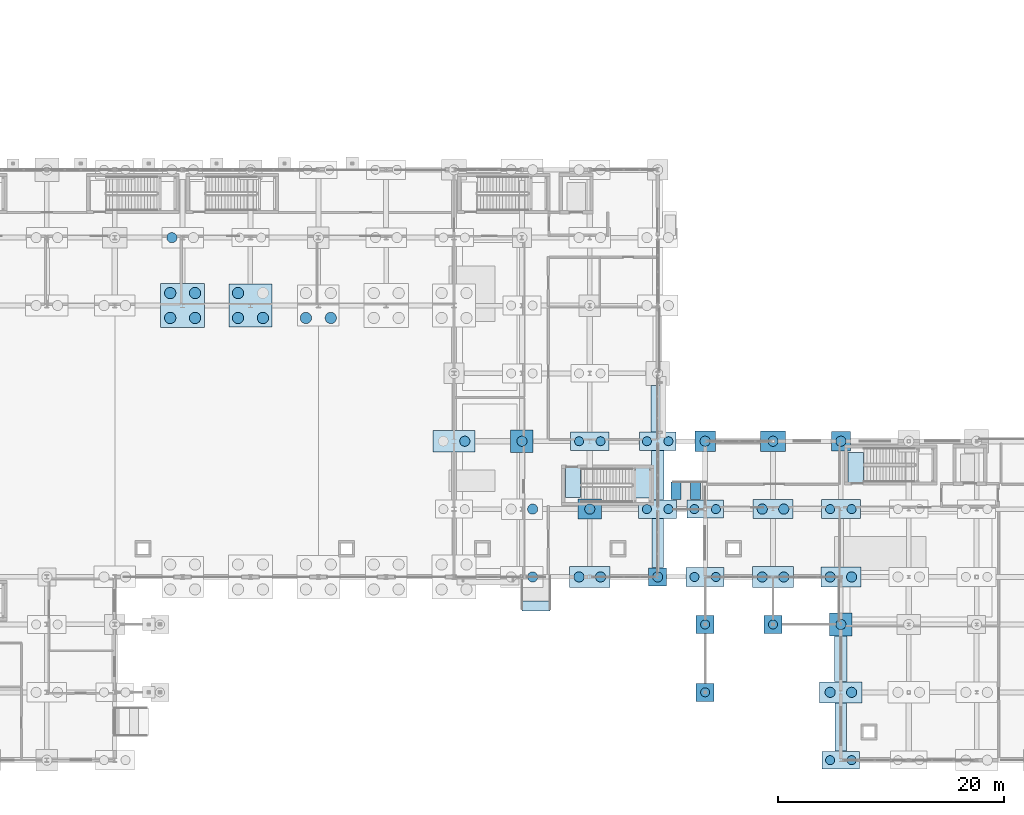
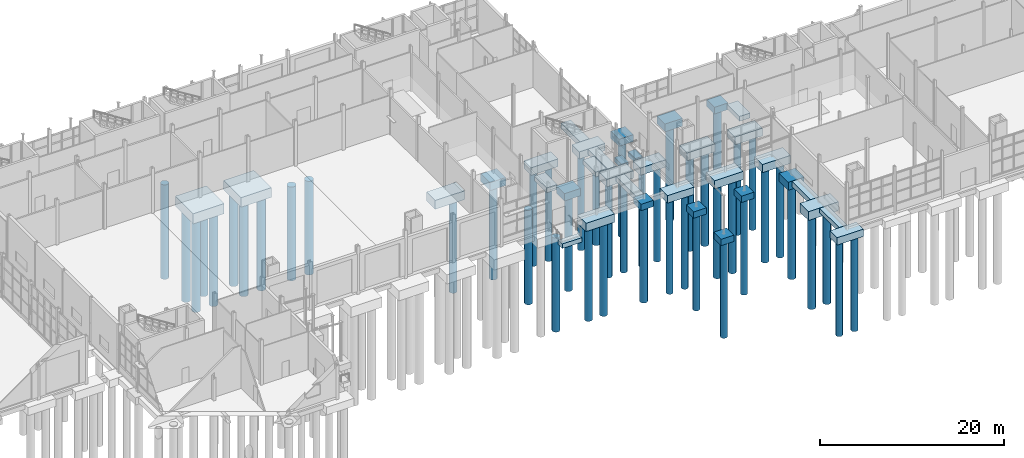
# One storey, part 4 of 120: 47 piles, 36 footings.
"""IFC4 building model written with IfcOpenShell, lengths in metres."""

from ifc_helpers import new_model, si_unit, direction, frame, origin, origin_2d, place, context, subcontext, project, spatial, rectangle, circle, extrude, material, material_profile, profile_set, type_object, element, save


model = new_model("IFC4")

# Units and contexts
model_context = context("Model", 3, precision=1e-05, world=origin(), true_north=direction((0.0, 1.0)))
body_context = subcontext(model_context, "Body", "Model", "MODEL_VIEW")
ifc_project = project(units=[si_unit("LENGTHUNIT", "METRE"), si_unit("AREAUNIT", "SQUARE_METRE"), si_unit("VOLUMEUNIT", "CUBIC_METRE"), si_unit("PLANEANGLEUNIT", "RADIAN"), si_unit("MASSUNIT", "GRAM", prefix="KILO")], contexts=[model_context])

# Site, building, storey
site_placement = place(None, origin())
site = spatial("IfcSite", under=ifc_project, at=site_placement, CompositionType="ELEMENT")
building_placement = place(site_placement, origin())
building = spatial("IfcBuilding", under=site, at=building_placement, Name="Siltcreek Boulevard Central Fire Station", CompositionType="ELEMENT")
storey_placement = place(building_placement, origin())
storey = spatial("IfcBuildingStorey", under=building, at=storey_placement, Name="L01", CompositionType="ELEMENT", Elevation=0.0)

# Footings
ifc_material = material(Name="Concrete C35/45", Category="concrete")
footing_type_1 = type_object("IfcFootingType", Name="PC_160X160X084", PredefinedType="PILE_CAP", material=ifc_material)
for number, where, z_axis, x_axis, name in (
    (1, (108.0, 18.0, -1.25), (0.0, 0.0, 1.0), (1.0, 0.0, 0.0), "Reinforced concrete pile cap PC-069"),
    (2, (112.199951171875, 7.800048828125, -1.18994140625), (0.0, 0.0, 1.0), (1.0, 0.0, 0.0), "Canopy pile cap PC-C03"),
    (3, (112.199951171875, 13.800048828125, -1.18994140625), (0.0, 0.0, 1.0), (1.0, 0.0, 0.0), "Canopy pile cap PC-C04"),
    (4, (118.199951171875, 13.800048828125, -1.18994140625), (0.0, 0.0, 1.0), (1.0, 0.0, 0.0), "Canopy pile cap PC-C05"),
):
    element("IfcFooting", number, at=place(storey_placement, frame(where, z_axis=z_axis, x_axis=x_axis)), inside=storey, type_object=footing_type_1, Name=name, PredefinedType="PILE_CAP", context=body_context, shape_type="SweptSolid", body=[
        extrude(rectangle(XDim=1.60009765625, YDim=1.60009765625, at=origin_2d()), origin(), (0.0, 0.0, 1.0), 0.840087890625),
    ])
footing_type_2 = type_object("IfcFootingType", Name="PC_170X170X088", PredefinedType="PILE_CAP", material=ifc_material)
footing_1_placement = place(storey_placement, frame((124.199951171875, 30.0, -1.2900390625), z_axis=(0.0, 0.0, 1.0), x_axis=(1.0, 0.0, 0.0)))
element("IfcFooting", 5, at=footing_1_placement, inside=storey, type_object=footing_type_2, Name="Reinforced concrete pile cap PC-180", PredefinedType="PILE_CAP", context=body_context, shape_type="SweptSolid", body=[
    extrude(rectangle(XDim=1.699951171875, YDim=1.699951171875, at=origin_2d()), origin(), (0.0, 0.0, 1.0), 0.8798828125),
])
footing_type_3 = type_object("IfcFootingType", Name="PC_180X180X094", PredefinedType="PILE_CAP", material=ifc_material)
footing_2_placement = place(storey_placement, frame((112.199951171875, 30.0, -1.349853515625), z_axis=(0.0, 0.0, 1.0), x_axis=(1.0, 0.0, 0.0)))
element("IfcFooting", 6, at=footing_2_placement, inside=storey, type_object=footing_type_3, Name="Reinforced concrete pile cap PC-171", PredefinedType="PILE_CAP", context=body_context, shape_type="SweptSolid", body=[
    extrude(rectangle(XDim=1.800048828125, YDim=1.800048828125, at=origin_2d()), origin(), (0.0, 0.0, 1.0), 0.93994140625),
])
footing_type_4 = type_object("IfcFootingType", Name="PC_200X200X106", PredefinedType="PILE_CAP", material=ifc_material)
for number, where, z_axis, x_axis, name in (
    (7, (96.0, 30.0, -1.469970703125), (0.0, 0.0, 1.0), (1.0, 0.0, 0.0), "Reinforced concrete pile cap PC-057"),
    (8, (124.199951171875, 13.800048828125, -1.469970703125), (0.0, 0.0, 1.0), (1.0, 0.0, 0.0), "Reinforced concrete pile cap PC-177"),
):
    element("IfcFooting", number, at=place(storey_placement, frame(where, z_axis=z_axis, x_axis=x_axis)), inside=storey, type_object=footing_type_4, Name=name, PredefinedType="PILE_CAP", context=body_context, shape_type="SweptSolid", body=[
        extrude(rectangle(XDim=2.0, YDim=2.0, at=origin_2d()), origin(), (0.0, 0.0, 1.0), 1.06005859375),
    ])
footing_type_5 = type_object("IfcFootingType", Name="PC_205X175X098", PredefinedType="PILE_CAP", material=ifc_material)
footing_3_placement = place(storey_placement, frame((102.0, 24.0, -1.389892578125), z_axis=(0.0, 0.0, 1.0), x_axis=(1.0, 0.0, 0.0)))
element("IfcFooting", 9, at=footing_3_placement, inside=storey, type_object=footing_type_5, Name="Reinforced concrete pile cap PC-063", PredefinedType="PILE_CAP", context=body_context, shape_type="SweptSolid", body=[
    extrude(rectangle(XDim=2.050048828125, YDim=1.75, at=origin_2d()), origin(), (0.0, 0.0, 1.0), 0.97998046875),
])
footing_type_6 = type_object("IfcFootingType", Name="PC_220X180X104", PredefinedType="PILE_CAP", material=ifc_material)
footing_4_placement = place(storey_placement, frame((118.199951171875, 30.0, -1.449951171875), z_axis=(0.0, 0.0, 1.0), x_axis=(1.0, 0.0, 0.0)))
element("IfcFooting", 10, at=footing_4_placement, inside=storey, type_object=footing_type_6, Name="Reinforced concrete pile cap PC-174", PredefinedType="PILE_CAP", context=body_context, shape_type="SweptSolid", body=[
    extrude(rectangle(XDim=2.199951171875, YDim=1.800048828125, at=origin_2d()), origin(), (0.0, 0.0, 1.0), 1.0400390625),
])
footing_type_7 = type_object("IfcFootingType", Name="PC_325X160X096", PredefinedType="PILE_CAP", material=ifc_material)
for number, where, z_axis, x_axis, name in (
    (11, (108.0, 30.0, -1.369873046875), (0.0, 0.0, 1.0), (1.0, 0.0, 0.0), "Reinforced concrete pile cap PC-071"),
    (12, (112.199951171875, 24.0, -1.369873046875), (0.0, 0.0, 1.0), (1.0, 0.0, 0.0), "Reinforced concrete pile cap PC-170"),
):
    element("IfcFooting", number, at=place(storey_placement, frame(where, z_axis=z_axis, x_axis=x_axis)), inside=storey, type_object=footing_type_7, Name=name, PredefinedType="PILE_CAP", context=body_context, shape_type="SweptSolid", body=[
        extrude(rectangle(XDim=3.25, YDim=1.60009765625, at=origin_2d()), origin(), (0.0, 0.0, 1.0), 0.9599609375),
    ])
footing_type_8 = type_object("IfcFootingType", Name="PC_330X155X098", PredefinedType="PILE_CAP", material=ifc_material)
footing_5_placement = place(storey_placement, frame((124.199951171875, 1.800048828125, -1.389892578125), z_axis=(0.0, 0.0, 1.0), x_axis=(1.0, 0.0, 0.0)))
element("IfcFooting", 13, at=footing_5_placement, inside=storey, type_object=footing_type_8, Name="Reinforced concrete pile cap PC-175", PredefinedType="PILE_CAP", context=body_context, shape_type="SweptSolid", body=[
    extrude(rectangle(XDim=3.300048828125, YDim=1.550048828125, at=origin_2d()), origin(), (0.0, 0.0, 1.0), 0.97998046875),
])
footing_type_9 = type_object("IfcFootingType", Name="PC_335X165X100", PredefinedType="PILE_CAP", material=ifc_material)
for number, where, z_axis, x_axis, name in (
    (14, (108.0, 24.0, -1.409912109375), (0.0, 0.0, 1.0), (1.0, 0.0, 0.0), "Reinforced concrete pile cap PC-070"),
    (15, (112.199951171875, 18.0, -1.409912109375), (0.0, 0.0, 1.0), (1.0, 0.0, 0.0), "Reinforced concrete pile cap PC-169"),
):
    element("IfcFooting", number, at=place(storey_placement, frame(where, z_axis=z_axis, x_axis=x_axis)), inside=storey, type_object=footing_type_9, Name=name, PredefinedType="PILE_CAP", context=body_context, shape_type="SweptSolid", body=[
        extrude(rectangle(XDim=3.35009765625, YDim=1.64990234375, at=origin_2d()), origin(), (0.0, 0.0, 1.0), 1.0),
    ])
footing_type_10 = type_object("IfcFootingType", Name="PC_340X160X102", PredefinedType="PILE_CAP", material=ifc_material)
footing_6_placement = place(storey_placement, frame((102.0, 30.0, -1.429931640625), z_axis=(0.0, 0.0, 1.0), x_axis=(1.0, 0.0, 0.0)))
element("IfcFooting", 16, at=footing_6_placement, inside=storey, type_object=footing_type_10, Name="Reinforced concrete pile cap PC-064", PredefinedType="PILE_CAP", context=body_context, shape_type="SweptSolid", body=[
    extrude(rectangle(XDim=3.39990234375, YDim=1.60009765625, at=origin_2d()), origin(), (0.0, 0.0, 1.0), 1.02001953125),
])
footing_type_11 = type_object("IfcFootingType", Name="PC_345X170X104", PredefinedType="PILE_CAP", material=ifc_material)
footing_7_placement = place(storey_placement, frame((124.199951171875, 24.0, -1.449951171875), z_axis=(0.0, 0.0, 1.0), x_axis=(1.0, 0.0, 0.0)))
element("IfcFooting", 17, at=footing_7_placement, inside=storey, type_object=footing_type_11, Name="Reinforced concrete pile cap PC-179", PredefinedType="PILE_CAP", context=body_context, shape_type="SweptSolid", body=[
    extrude(rectangle(XDim=3.449951171875, YDim=1.699951171875, at=origin_2d()), origin(), (0.0, 0.0, 1.0), 1.0400390625),
])
footing_type_12 = type_object("IfcFootingType", Name="PC_350X170X106", PredefinedType="PILE_CAP", material=ifc_material)
footing_8_placement = place(storey_placement, frame((118.199951171875, 24.0, -1.469970703125), z_axis=(0.0, 0.0, 1.0), x_axis=(1.0, 0.0, 0.0)))
element("IfcFooting", 18, at=footing_8_placement, inside=storey, type_object=footing_type_12, Name="Reinforced concrete pile cap PC-173", PredefinedType="PILE_CAP", context=body_context, shape_type="SweptSolid", body=[
    extrude(rectangle(XDim=3.5, YDim=1.699951171875, at=origin_2d()), origin(), (0.0, 0.0, 1.0), 1.06005859375),
])
footing_type_13 = type_object("IfcFootingType", Name="PC_355X175X108", PredefinedType="PILE_CAP", material=ifc_material)
footing_9_placement = place(storey_placement, frame((124.199951171875, 18.0, -1.489990234375), z_axis=(0.0, 0.0, 1.0), x_axis=(1.0, 0.0, 0.0)))
element("IfcFooting", 19, at=footing_9_placement, inside=storey, type_object=footing_type_13, Name="Reinforced concrete pile cap PC-178", PredefinedType="PILE_CAP", context=body_context, shape_type="SweptSolid", body=[
    extrude(rectangle(XDim=3.550048828125, YDim=1.75, at=origin_2d()), origin(), (0.0, 0.0, 1.0), 1.080078125),
])
footing_type_14 = type_object("IfcFootingType", Name="PC_360X185X110", PredefinedType="PILE_CAP", material=ifc_material)
for number, where, z_axis, x_axis, name in (
    (20, (102.0, 18.0, -1.510009765625), (0.0, 0.0, 1.0), (1.0, 0.0, 0.0), "Reinforced concrete pile cap PC-062"),
    (21, (118.199951171875, 18.0, -1.510009765625), (0.0, 0.0, 1.0), (1.0, 0.0, 0.0), "Reinforced concrete pile cap PC-172"),
):
    element("IfcFooting", number, at=place(storey_placement, frame(where, z_axis=z_axis, x_axis=x_axis)), inside=storey, type_object=footing_type_14, Name=name, PredefinedType="PILE_CAP", context=body_context, shape_type="SweptSolid", body=[
        extrude(rectangle(XDim=3.60009765625, YDim=1.85009765625, at=origin_2d()), origin(), (0.0, 0.0, 1.0), 1.10009765625),
    ])
footing_type_15 = type_object("IfcFootingType", Name="PC_370X190X116", PredefinedType="PILE_CAP", material=ifc_material)
footing_10_placement = place(storey_placement, frame((90.0, 30.0, -1.56982421875), z_axis=(0.0, 0.0, 1.0), x_axis=(1.0, 0.0, 0.0)))
element("IfcFooting", 22, at=footing_10_placement, inside=storey, type_object=footing_type_15, Name="Reinforced concrete pile cap PC-050", PredefinedType="PILE_CAP", context=body_context, shape_type="SweptSolid", body=[
    extrude(rectangle(XDim=3.699951171875, YDim=1.89990234375, at=origin_2d()), origin(), (0.0, 0.0, 1.0), 1.159912109375),
])
footing_type_16 = type_object("IfcFootingType", Name="PC_375X185X118", PredefinedType="PILE_CAP", material=ifc_material)
footing_11_placement = place(storey_placement, frame((124.199951171875, 7.800048828125, -1.58984375), z_axis=(0.0, 0.0, 1.0), x_axis=(1.0, 0.0, 0.0)))
element("IfcFooting", 23, at=footing_11_placement, inside=storey, type_object=footing_type_16, Name="Reinforced concrete pile cap PC-176", PredefinedType="PILE_CAP", context=body_context, shape_type="SweptSolid", body=[
    extrude(rectangle(XDim=3.75, YDim=1.85009765625, at=origin_2d()), origin(), (0.0, 0.0, 1.0), 1.179931640625),
])
footing_type_17 = type_object("IfcFootingType", Name="PC_380X380X128", PredefinedType="PILE_CAP", material=ifc_material)
footing_12_placement = place(storey_placement, frame((72.0, 42.0, -1.68994140625), z_axis=(0.0, 0.0, 1.0), x_axis=(1.0, 0.0, 0.0)))
element("IfcFooting", 24, at=footing_12_placement, inside=storey, type_object=footing_type_17, Name="Reinforced concrete pile cap PC-037", PredefinedType="PILE_CAP", context=body_context, shape_type="SweptSolid", body=[
    extrude(rectangle(XDim=3.800048828125, YDim=3.800048828125, at=origin_2d()), origin(), (0.0, 0.0, 1.0), 1.280029296875),
])
footing_type_18 = type_object("IfcFootingType", Name="PC_390X390X135", PredefinedType="PILE_CAP", material=ifc_material)
footing_13_placement = place(storey_placement, frame((66.0, 42.0, -1.760009765625), z_axis=(0.0, 0.0, 1.0), x_axis=(1.0, 0.0, 0.0)))
element("IfcFooting", 25, at=footing_13_placement, inside=storey, type_object=footing_type_18, Name="Reinforced concrete pile cap PC-033", PredefinedType="PILE_CAP", context=body_context, shape_type="SweptSolid", body=[
    extrude(rectangle(XDim=3.89990234375, YDim=3.89990234375, at=origin_2d()), origin(), (0.0, 0.0, 1.0), 1.35009765625),
])

# Piles
ifc_material_profile_1 = material_profile(ifc_material, circle(Radius=0.5, at=origin_2d()), Name="SHAFT1000")
ifc_profile_set_1 = profile_set([ifc_material_profile_1], Name="Concrete C35/45")
pile_type_1 = type_object("IfcPileType", Name="PILE_D1000", PredefinedType="BORED", material=ifc_profile_set_1)
for number, where, z_axis, x_axis, name in (
    (26, (64.89990234375, 40.89990234375, -1.659912109375), (0.0, 0.0, -1.0), (1.0, 0.0, 0.0), "Bored concrete pile 057 in Vashon till"),
    (27, (67.10009765625, 40.89990234375, -1.659912109375), (0.0, 0.0, -1.0), (1.0, 0.0, 0.0), "Bored concrete pile 058 in Vashon till"),
    (28, (64.89990234375, 43.10009765625, -1.659912109375), (0.0, 0.0, -1.0), (1.0, 0.0, 0.0), "Bored concrete pile 059 in Vashon till"),
    (29, (67.10009765625, 43.10009765625, -1.659912109375), (0.0, 0.0, -1.0), (1.0, 0.0, 0.0), "Bored concrete pile 060 in Vashon till"),
):
    element("IfcPile", number, at=place(storey_placement, frame(where, z_axis=z_axis, x_axis=x_axis)), inside=storey, type_object=pile_type_1, Name=name, PredefinedType="BORED", context=body_context, shape_type="SweptSolid", body=[
        extrude(circle(Radius=0.5, at=origin_2d()), origin(), (0.0, 0.0, 1.0), 12.340087890625),
    ])
for number, where, z_axis, x_axis, name in (
    (30, (70.89990234375, 40.89990234375, -1.590087890625), (0.0, 0.0, -1.0), (1.0, 0.0, 0.0), "Bored concrete pile 069 in Vashon till"),
    (31, (73.10009765625, 40.89990234375, -1.590087890625), (0.0, 0.0, -1.0), (1.0, 0.0, 0.0), "Bored concrete pile 070 in Vashon till"),
    (32, (70.89990234375, 43.10009765625, -1.590087890625), (0.0, 0.0, -1.0), (1.0, 0.0, 0.0), "Bored concrete pile 071 in Vashon till"),
):
    element("IfcPile", number, at=place(storey_placement, frame(where, z_axis=z_axis, x_axis=x_axis)), inside=storey, type_object=pile_type_1, Name=name, PredefinedType="BORED", context=body_context, shape_type="SweptSolid", body=[
        extrude(circle(Radius=0.5, at=origin_2d()), origin(), (0.0, 0.0, 1.0), 12.409912109375),
    ])
for number, where, z_axis, x_axis, name in (
    (33, (76.89990234375, 40.89990234375, -1.530029296875), (0.0, 0.0, -1.0), (1.0, 0.0, 0.0), "Bored concrete pile 080 in Vashon till"),
    (34, (79.10009765625, 40.89990234375, -1.530029296875), (0.0, 0.0, -1.0), (1.0, 0.0, 0.0), "Bored concrete pile 081 in Vashon till"),
):
    element("IfcPile", number, at=place(storey_placement, frame(where, z_axis=z_axis, x_axis=x_axis)), inside=storey, type_object=pile_type_1, Name=name, PredefinedType="BORED", context=body_context, shape_type="SweptSolid", body=[
        extrude(circle(Radius=0.5, at=origin_2d()), origin(), (0.0, 0.0, 1.0), 12.469970703125),
    ])
ifc_material_profile_2 = material_profile(ifc_material, circle(Radius=0.39990234375, at=origin_2d()), Name="SHAFT800")
ifc_profile_set_2 = profile_set([ifc_material_profile_2], Name="Concrete C35/45")
pile_type_2 = type_object("IfcPileType", Name="PILE_D800", PredefinedType="BORED", material=ifc_profile_set_2)
for number, where, z_axis, x_axis, name in (
    (35, (101.050048828125, 30.0, -1.330078125), (0.0, 0.0, -1.0), (1.0, 0.0, 0.0), "Bored concrete pile 130 in Vashon till"),
    (36, (102.949951171875, 30.0, -1.330078125), (0.0, 0.0, -1.0), (1.0, 0.0, 0.0), "Bored concrete pile 131 in Vashon till"),
):
    element("IfcPile", number, at=place(storey_placement, frame(where, z_axis=z_axis, x_axis=x_axis)), inside=storey, type_object=pile_type_2, Name=name, PredefinedType="BORED", context=body_context, shape_type="SweptSolid", body=[
        extrude(circle(Radius=0.39990234375, at=origin_2d()), origin(), (0.0, 0.0, 1.0), 12.669921875),
    ])
for number, where, z_axis, x_axis, name in (
    (37, (107.050048828125, 24.0, -1.31005859375), (0.0, 0.0, -1.0), (1.0, 0.0, 0.0), "Bored concrete pile 140 in Vashon till"),
    (38, (108.949951171875, 24.0, -1.31005859375), (0.0, 0.0, -1.0), (1.0, 0.0, 0.0), "Bored concrete pile 141 in Vashon till"),
):
    element("IfcPile", number, at=place(storey_placement, frame(where, z_axis=z_axis, x_axis=x_axis)), inside=storey, type_object=pile_type_2, Name=name, PredefinedType="BORED", context=body_context, shape_type="SweptSolid", body=[
        extrude(circle(Radius=0.39990234375, at=origin_2d()), origin(), (0.0, 0.0, 1.0), 12.68994140625),
    ])
for number, where, z_axis, x_axis, name in (
    (39, (107.050048828125, 30.0, -1.27001953125), (0.0, 0.0, -1.0), (1.0, 0.0, 0.0), "Bored concrete pile 142 in Vashon till"),
    (40, (108.949951171875, 30.0, -1.27001953125), (0.0, 0.0, -1.0), (1.0, 0.0, 0.0), "Bored concrete pile 143 in Vashon till"),
):
    element("IfcPile", number, at=place(storey_placement, frame(where, z_axis=z_axis, x_axis=x_axis)), inside=storey, type_object=pile_type_2, Name=name, PredefinedType="BORED", context=body_context, shape_type="SweptSolid", body=[
        extrude(circle(Radius=0.39990234375, at=origin_2d()), origin(), (0.0, 0.0, 1.0), 12.72998046875),
    ])
for number, where, z_axis, x_axis, name in (
    (41, (111.25, 18.0, -1.31005859375), (0.0, 0.0, -1.0), (1.0, 0.0, 0.0), "Bored concrete pile 324 in Vashon till"),
    (42, (113.14990234375, 18.0, -1.31005859375), (0.0, 0.0, -1.0), (1.0, 0.0, 0.0), "Bored concrete pile 325 in Vashon till"),
):
    element("IfcPile", number, at=place(storey_placement, frame(where, z_axis=z_axis, x_axis=x_axis)), inside=storey, type_object=pile_type_2, Name=name, PredefinedType="BORED", context=body_context, shape_type="SweptSolid", body=[
        extrude(circle(Radius=0.39990234375, at=origin_2d()), origin(), (0.0, 0.0, 1.0), 12.68994140625),
    ])
for number, where, z_axis, x_axis, name in (
    (43, (111.25, 24.0, -1.27001953125), (0.0, 0.0, -1.0), (1.0, 0.0, 0.0), "Bored concrete pile 326 in Vashon till"),
    (44, (113.14990234375, 24.0, -1.27001953125), (0.0, 0.0, -1.0), (1.0, 0.0, 0.0), "Bored concrete pile 327 in Vashon till"),
):
    element("IfcPile", number, at=place(storey_placement, frame(where, z_axis=z_axis, x_axis=x_axis)), inside=storey, type_object=pile_type_2, Name=name, PredefinedType="BORED", context=body_context, shape_type="SweptSolid", body=[
        extrude(circle(Radius=0.39990234375, at=origin_2d()), origin(), (0.0, 0.0, 1.0), 12.72998046875),
    ])
for number, where, z_axis, x_axis, name in (
    (45, (123.25, 1.800048828125, -1.2900390625), (0.0, 0.0, -1.0), (1.0, 0.0, 0.0), "Bored concrete pile 334 in Vashon till"),
    (46, (125.14990234375, 1.800048828125, -1.2900390625), (0.0, 0.0, -1.0), (1.0, 0.0, 0.0), "Bored concrete pile 335 in Vashon till"),
):
    element("IfcPile", number, at=place(storey_placement, frame(where, z_axis=z_axis, x_axis=x_axis)), inside=storey, type_object=pile_type_2, Name=name, PredefinedType="BORED", context=body_context, shape_type="SweptSolid", body=[
        extrude(circle(Radius=0.39990234375, at=origin_2d()), origin(), (0.0, 0.0, 1.0), 12.7099609375),
    ])
for number, where, z_axis, x_axis, name in (
    (47, (123.25, 24.0, -1.35009765625), (0.0, 0.0, -1.0), (1.0, 0.0, 0.0), "Bored concrete pile 341 in Vashon till"),
    (48, (125.14990234375, 24.0, -1.35009765625), (0.0, 0.0, -1.0), (1.0, 0.0, 0.0), "Bored concrete pile 342 in Vashon till"),
):
    element("IfcPile", number, at=place(storey_placement, frame(where, z_axis=z_axis, x_axis=x_axis)), inside=storey, type_object=pile_type_2, Name=name, PredefinedType="BORED", context=body_context, shape_type="SweptSolid", body=[
        extrude(circle(Radius=0.39990234375, at=origin_2d()), origin(), (0.0, 0.0, 1.0), 12.64990234375),
    ])
for number, where, z_axis, x_axis, name in (
    (49, (112.199951171875, 7.800048828125, -1.090087890625), (0.0, 0.0, -1.0), (1.0, 0.0, 0.0), "Bored concrete pile BP-C03 in Vashon till"),
    (50, (112.199951171875, 13.800048828125, -1.090087890625), (0.0, 0.0, -1.0), (1.0, 0.0, 0.0), "Bored concrete pile BP-C04 in Vashon till"),
    (51, (118.199951171875, 13.800048828125, -1.090087890625), (0.0, 0.0, -1.0), (1.0, 0.0, 0.0), "Bored concrete pile BP-C05 in Vashon till"),
):
    element("IfcPile", number, at=place(storey_placement, frame(where, z_axis=z_axis, x_axis=x_axis)), inside=storey, type_object=pile_type_2, Name=name, PredefinedType="BORED", context=body_context, shape_type="SweptSolid", body=[
        extrude(circle(Radius=0.39990234375, at=origin_2d()), origin(), (0.0, 0.0, 1.0), 12.909912109375),
    ])
ifc_material_profile_3 = material_profile(ifc_material, circle(Radius=0.449951171875, at=origin_2d()), Name="SHAFT900")
ifc_profile_set_3 = profile_set([ifc_material_profile_3], Name="Concrete C35/45")
pile_type_3 = type_object("IfcPileType", Name="PILE_D900", PredefinedType="BORED", material=ifc_profile_set_3)
pile_1_placement = place(storey_placement, frame((65.050048828125, 48.0, -1.429931640625), z_axis=(0.0, 0.0, -1.0), x_axis=(1.0, 0.0, 0.0)))
element("IfcPile", 52, at=pile_1_placement, inside=storey, type_object=pile_type_3, Name="Bored concrete pile 061 in Vashon till", PredefinedType="BORED", context=body_context, shape_type="SweptSolid", body=[
    extrude(circle(Radius=0.449951171875, at=origin_2d()), origin(), (0.0, 0.0, 1.0), 12.570068359375),
])
pile_2_placement = place(storey_placement, frame((90.949951171875, 30.0, -1.469970703125), z_axis=(0.0, 0.0, -1.0), x_axis=(1.0, 0.0, 0.0)))
element("IfcPile", 53, at=pile_2_placement, inside=storey, type_object=pile_type_3, Name="Bored concrete pile 106 in Vashon till", PredefinedType="BORED", context=body_context, shape_type="SweptSolid", body=[
    extrude(circle(Radius=0.449951171875, at=origin_2d()), origin(), (0.0, 0.0, 1.0), 12.530029296875),
])
pile_3_placement = place(storey_placement, frame((96.949951171875, 18.0, -1.489990234375), z_axis=(0.0, 0.0, -1.0), x_axis=(1.0, 0.0, 0.0)))
element("IfcPile", 54, at=pile_3_placement, inside=storey, type_object=pile_type_3, Name="Bored concrete pile 116 in Vashon till", PredefinedType="BORED", context=body_context, shape_type="SweptSolid", body=[
    extrude(circle(Radius=0.449951171875, at=origin_2d()), origin(), (0.0, 0.0, 1.0), 12.510009765625),
])
pile_4_placement = place(storey_placement, frame((96.949951171875, 24.0, -1.429931640625), z_axis=(0.0, 0.0, -1.0), x_axis=(1.0, 0.0, 0.0)))
element("IfcPile", 55, at=pile_4_placement, inside=storey, type_object=pile_type_3, Name="Bored concrete pile 118 in Vashon till", PredefinedType="BORED", context=body_context, shape_type="SweptSolid", body=[
    extrude(circle(Radius=0.449951171875, at=origin_2d()), origin(), (0.0, 0.0, 1.0), 12.570068359375),
])
pile_5_placement = place(storey_placement, frame((96.0, 30.0, -1.3701171875), z_axis=(0.0, 0.0, -1.0), x_axis=(1.0, 0.0, 0.0)))
element("IfcPile", 56, at=pile_5_placement, inside=storey, type_object=pile_type_3, Name="Bored concrete pile 119 in Vashon till", PredefinedType="BORED", context=body_context, shape_type="SweptSolid", body=[
    extrude(circle(Radius=0.449951171875, at=origin_2d()), origin(), (0.0, 0.0, 1.0), 12.6298828125),
])
for number, where, z_axis, x_axis, name in (
    (57, (101.050048828125, 18.0, -1.409912109375), (0.0, 0.0, -1.0), (1.0, 0.0, 0.0), "Bored concrete pile 127 in Vashon till"),
    (58, (102.949951171875, 18.0, -1.409912109375), (0.0, 0.0, -1.0), (1.0, 0.0, 0.0), "Bored concrete pile 128 in Vashon till"),
):
    element("IfcPile", number, at=place(storey_placement, frame(where, z_axis=z_axis, x_axis=x_axis)), inside=storey, type_object=pile_type_3, Name=name, PredefinedType="BORED", context=body_context, shape_type="SweptSolid", body=[
        extrude(circle(Radius=0.449951171875, at=origin_2d()), origin(), (0.0, 0.0, 1.0), 12.590087890625),
    ])
pile_6_placement = place(storey_placement, frame((102.0, 24.0, -1.2900390625), z_axis=(0.0, 0.0, -1.0), x_axis=(1.0, 0.0, 0.0)))
element("IfcPile", 59, at=pile_6_placement, inside=storey, type_object=pile_type_3, Name="Bored concrete pile 129 in Vashon till", PredefinedType="BORED", context=body_context, shape_type="SweptSolid", body=[
    extrude(circle(Radius=0.449951171875, at=origin_2d()), origin(), (0.0, 0.0, 1.0), 12.7099609375),
])
pile_7_placement = place(storey_placement, frame((108.0, 18.0, -1.14990234375), z_axis=(0.0, 0.0, -1.0), x_axis=(1.0, 0.0, 0.0)))
element("IfcPile", 60, at=pile_7_placement, inside=storey, type_object=pile_type_3, Name="Bored concrete pile 139 in Vashon till", PredefinedType="BORED", context=body_context, shape_type="SweptSolid", body=[
    extrude(circle(Radius=0.449951171875, at=origin_2d()), origin(), (0.0, 0.0, 1.0), 12.85009765625),
])
pile_8_placement = place(storey_placement, frame((112.199951171875, 30.0, -1.25), z_axis=(0.0, 0.0, -1.0), x_axis=(1.0, 0.0, 0.0)))
element("IfcPile", 61, at=pile_8_placement, inside=storey, type_object=pile_type_3, Name="Bored concrete pile 328 in Vashon till", PredefinedType="BORED", context=body_context, shape_type="SweptSolid", body=[
    extrude(circle(Radius=0.449951171875, at=origin_2d()), origin(), (0.0, 0.0, 1.0), 12.75),
])
for number, where, z_axis, x_axis, name in (
    (62, (117.25, 18.0, -1.409912109375), (0.0, 0.0, -1.0), (1.0, 0.0, 0.0), "Bored concrete pile 329 in Vashon till"),
    (63, (119.14990234375, 18.0, -1.409912109375), (0.0, 0.0, -1.0), (1.0, 0.0, 0.0), "Bored concrete pile 330 in Vashon till"),
):
    element("IfcPile", number, at=place(storey_placement, frame(where, z_axis=z_axis, x_axis=x_axis)), inside=storey, type_object=pile_type_3, Name=name, PredefinedType="BORED", context=body_context, shape_type="SweptSolid", body=[
        extrude(circle(Radius=0.449951171875, at=origin_2d()), origin(), (0.0, 0.0, 1.0), 12.590087890625),
    ])
for number, where, z_axis, x_axis, name in (
    (64, (117.25, 24.0, -1.3701171875), (0.0, 0.0, -1.0), (1.0, 0.0, 0.0), "Bored concrete pile 331 in Vashon till"),
    (65, (119.14990234375, 24.0, -1.3701171875), (0.0, 0.0, -1.0), (1.0, 0.0, 0.0), "Bored concrete pile 332 in Vashon till"),
):
    element("IfcPile", number, at=place(storey_placement, frame(where, z_axis=z_axis, x_axis=x_axis)), inside=storey, type_object=pile_type_3, Name=name, PredefinedType="BORED", context=body_context, shape_type="SweptSolid", body=[
        extrude(circle(Radius=0.449951171875, at=origin_2d()), origin(), (0.0, 0.0, 1.0), 12.6298828125),
    ])
pile_9_placement = place(storey_placement, frame((118.199951171875, 30.0, -1.35009765625), z_axis=(0.0, 0.0, -1.0), x_axis=(1.0, 0.0, 0.0)))
element("IfcPile", 66, at=pile_9_placement, inside=storey, type_object=pile_type_3, Name="Bored concrete pile 333 in Vashon till", PredefinedType="BORED", context=body_context, shape_type="SweptSolid", body=[
    extrude(circle(Radius=0.449951171875, at=origin_2d()), origin(), (0.0, 0.0, 1.0), 12.64990234375),
])
for number, where, z_axis, x_axis, name in (
    (67, (123.25, 7.800048828125, -1.489990234375), (0.0, 0.0, -1.0), (1.0, 0.0, 0.0), "Bored concrete pile 336 in Vashon till"),
    (68, (125.14990234375, 7.800048828125, -1.489990234375), (0.0, 0.0, -1.0), (1.0, 0.0, 0.0), "Bored concrete pile 337 in Vashon till"),
):
    element("IfcPile", number, at=place(storey_placement, frame(where, z_axis=z_axis, x_axis=x_axis)), inside=storey, type_object=pile_type_3, Name=name, PredefinedType="BORED", context=body_context, shape_type="SweptSolid", body=[
        extrude(circle(Radius=0.449951171875, at=origin_2d()), origin(), (0.0, 0.0, 1.0), 12.510009765625),
    ])
pile_10_placement = place(storey_placement, frame((124.199951171875, 13.800048828125, -1.3701171875), z_axis=(0.0, 0.0, -1.0), x_axis=(1.0, 0.0, 0.0)))
element("IfcPile", 69, at=pile_10_placement, inside=storey, type_object=pile_type_3, Name="Bored concrete pile 338 in Vashon till", PredefinedType="BORED", context=body_context, shape_type="SweptSolid", body=[
    extrude(circle(Radius=0.449951171875, at=origin_2d()), origin(), (0.0, 0.0, 1.0), 12.6298828125),
])
for number, where, z_axis, x_axis, name in (
    (70, (123.25, 18.0, -1.389892578125), (0.0, 0.0, -1.0), (1.0, 0.0, 0.0), "Bored concrete pile 339 in Vashon till"),
    (71, (125.14990234375, 18.0, -1.389892578125), (0.0, 0.0, -1.0), (1.0, 0.0, 0.0), "Bored concrete pile 340 in Vashon till"),
):
    element("IfcPile", number, at=place(storey_placement, frame(where, z_axis=z_axis, x_axis=x_axis)), inside=storey, type_object=pile_type_3, Name=name, PredefinedType="BORED", context=body_context, shape_type="SweptSolid", body=[
        extrude(circle(Radius=0.449951171875, at=origin_2d()), origin(), (0.0, 0.0, 1.0), 12.610107421875),
    ])
pile_11_placement = place(storey_placement, frame((124.199951171875, 30.0, -1.18994140625), z_axis=(0.0, 0.0, -1.0), x_axis=(1.0, 0.0, 0.0)))
element("IfcPile", 72, at=pile_11_placement, inside=storey, type_object=pile_type_3, Name="Bored concrete pile 343 in Vashon till", PredefinedType="BORED", context=body_context, shape_type="SweptSolid", body=[
    extrude(circle(Radius=0.449951171875, at=origin_2d()), origin(), (0.0, 0.0, 1.0), 12.81005859375),
])

# Footings
footing_type_19 = type_object("IfcFootingType", Name="SF_1000X650", PredefinedType="STRIP_FOOTING", material=ifc_material)
footing_14_placement = place(storey_placement, frame((108.0, 20.987548828125, -1.06005859375), z_axis=(0.0, 0.0, 1.0), x_axis=(1.0, 0.0, 0.0)))
element("IfcFooting", 73, at=footing_14_placement, inside=storey, type_object=footing_type_19, Name="Perimeter strip footing SF-055", PredefinedType="STRIP_FOOTING", context=body_context, shape_type="SweptSolid", body=[
    extrude(rectangle(XDim=1.0, YDim=4.3349609375, at=origin_2d()), origin(), (0.0, 0.0, 1.0), 0.64990234375),
])
footing_15_placement = place(storey_placement, frame((124.199951171875, 4.72509765625, -1.06005859375), z_axis=(0.0, 0.0, 1.0), x_axis=(1.0, 0.0, 0.0)))
element("IfcFooting", 74, at=footing_15_placement, inside=storey, type_object=footing_type_19, Name="Perimeter strip footing SF-061", PredefinedType="STRIP_FOOTING", context=body_context, shape_type="SweptSolid", body=[
    extrude(rectangle(XDim=1.0, YDim=4.260009765625, at=origin_2d()), origin(), (0.0, 0.0, 1.0), 0.64990234375),
])
footing_16_placement = place(storey_placement, frame((100.52001953125, 26.367431640625, -1.06005859375), z_axis=(0.0, 0.0, 1.0), x_axis=(1.0, 0.0, 0.0)))
element("IfcFooting", 75, at=footing_16_placement, inside=storey, type_object=footing_type_19, Name="Stair ST-V2B W foundation strip footing", PredefinedType="STRIP_FOOTING", context=body_context, shape_type="SweptSolid", body=[
    extrude(rectangle(XDim=1.35009765625, YDim=2.6650390625, at=origin_2d()), origin(), (0.0, 0.0, 1.0), 0.64990234375),
])
footing_17_placement = place(storey_placement, frame((106.659912109375, 26.342529296875, -1.06005859375), z_axis=(0.0, 0.0, 1.0), x_axis=(1.0, 0.0, 0.0)))
element("IfcFooting", 76, at=footing_17_placement, inside=storey, type_object=footing_type_19, Name="Stair ST-V2B E foundation strip footing", PredefinedType="STRIP_FOOTING", context=body_context, shape_type="SweptSolid", body=[
    extrude(rectangle(XDim=1.35009765625, YDim=2.715087890625, at=origin_2d()), origin(), (0.0, 0.0, 1.0), 0.64990234375),
])
footing_18_placement = place(storey_placement, frame((125.52001953125, 27.64501953125, -1.06005859375), z_axis=(0.0, 0.0, 1.0), x_axis=(1.0, 0.0, 0.0)))
element("IfcFooting", 77, at=footing_18_placement, inside=storey, type_object=footing_type_19, Name="Stair ST-V6A W foundation strip footing", PredefinedType="STRIP_FOOTING", context=body_context, shape_type="SweptSolid", body=[
    extrude(rectangle(XDim=1.35009765625, YDim=2.68994140625, at=origin_2d()), origin(), (0.0, 0.0, 1.0), 0.64990234375),
])
footing_type_20 = type_object("IfcFootingType", Name="SF_1100X700", PredefinedType="STRIP_FOOTING", material=ifc_material)
footing_19_placement = place(storey_placement, frame((108.0, 27.012451171875, -1.10986328125), z_axis=(0.0, 0.0, 1.0), x_axis=(1.0, 0.0, 0.0)))
element("IfcFooting", 78, at=footing_19_placement, inside=storey, type_object=footing_type_20, Name="Perimeter strip footing SF-056", PredefinedType="STRIP_FOOTING", context=body_context, shape_type="SweptSolid", body=[
    extrude(rectangle(XDim=1.10009765625, YDim=4.3349609375, at=origin_2d()), origin(), (0.0, 0.0, 1.0), 0.699951171875),
])
footing_20_placement = place(storey_placement, frame((124.199951171875, 10.762451171875, -1.10986328125), z_axis=(0.0, 0.0, 1.0), x_axis=(1.0, 0.0, 0.0)))
element("IfcFooting", 79, at=footing_20_placement, inside=storey, type_object=footing_type_20, Name="Perimeter strip footing SF-062", PredefinedType="STRIP_FOOTING", context=body_context, shape_type="SweptSolid", body=[
    extrude(rectangle(XDim=1.10009765625, YDim=4.034912109375, at=origin_2d()), origin(), (0.0, 0.0, 1.0), 0.699951171875),
])
footing_type_21 = type_object("IfcFootingType", Name="SF_1200X750", PredefinedType="STRIP_FOOTING", material=ifc_material)
footing_21_placement = place(storey_placement, frame((108.0, 32.875, -1.159912109375), z_axis=(0.0, 0.0, 1.0), x_axis=(1.0, 0.0, 0.0)))
element("IfcFooting", 80, at=footing_21_placement, inside=storey, type_object=footing_type_21, Name="Perimeter strip footing SF-057", PredefinedType="STRIP_FOOTING", context=body_context, shape_type="SweptSolid", body=[
    extrude(rectangle(XDim=1.199951171875, YDim=4.110107421875, at=origin_2d()), origin(), (0.0, 0.0, 1.0), 0.75),
])
footing_type_22 = type_object("IfcFootingType", Name="SF_900X600", PredefinedType="STRIP_FOOTING", material=ifc_material)
footing_22_placement = place(storey_placement, frame((97.25, 15.429931640625, -1.02001953125), z_axis=(0.0, 0.0, 1.0), x_axis=(0.0, 1.0, 0.0)))
element("IfcFooting", 81, at=footing_22_placement, inside=storey, type_object=footing_type_22, Name="Accessible ramp RM-02 bot strip footing", PredefinedType="STRIP_FOOTING", context=body_context, shape_type="SweptSolid", body=[
    extrude(rectangle(XDim=0.89990234375, YDim=2.449951171875, at=origin_2d()), origin(), (0.0, 0.0, 1.0), 0.60009765625),
])
footing_23_placement = place(storey_placement, frame((109.6298828125, 25.635009765625, -1.02001953125), z_axis=(0.0, 0.0, 1.0), x_axis=(1.0, 0.0, 0.0)))
element("IfcFooting", 82, at=footing_23_placement, inside=storey, type_object=footing_type_22, Name="Accessible ramp RM-03 bot strip footing", PredefinedType="STRIP_FOOTING", context=body_context, shape_type="SweptSolid", body=[
    extrude(rectangle(XDim=0.89990234375, YDim=1.5400390625, at=origin_2d()), origin(), (0.0, 0.0, 1.0), 0.60009765625),
])
footing_24_placement = place(storey_placement, frame((111.340087890625, 25.62255859375, -0.856689453125), z_axis=(0.0, 0.0, 1.0), x_axis=(1.0, 0.0, 0.0)))
element("IfcFooting", 83, at=footing_24_placement, inside=storey, type_object=footing_type_22, Name="Accessible ramp RM-03 top strip footing", PredefinedType="STRIP_FOOTING", context=body_context, shape_type="SweptSolid", body=[
    extrude(rectangle(XDim=0.89990234375, YDim=1.56494140625, at=origin_2d()), origin(), (0.0, 0.0, 1.0), 0.60009765625),
])

save(model, "model.ifc")
